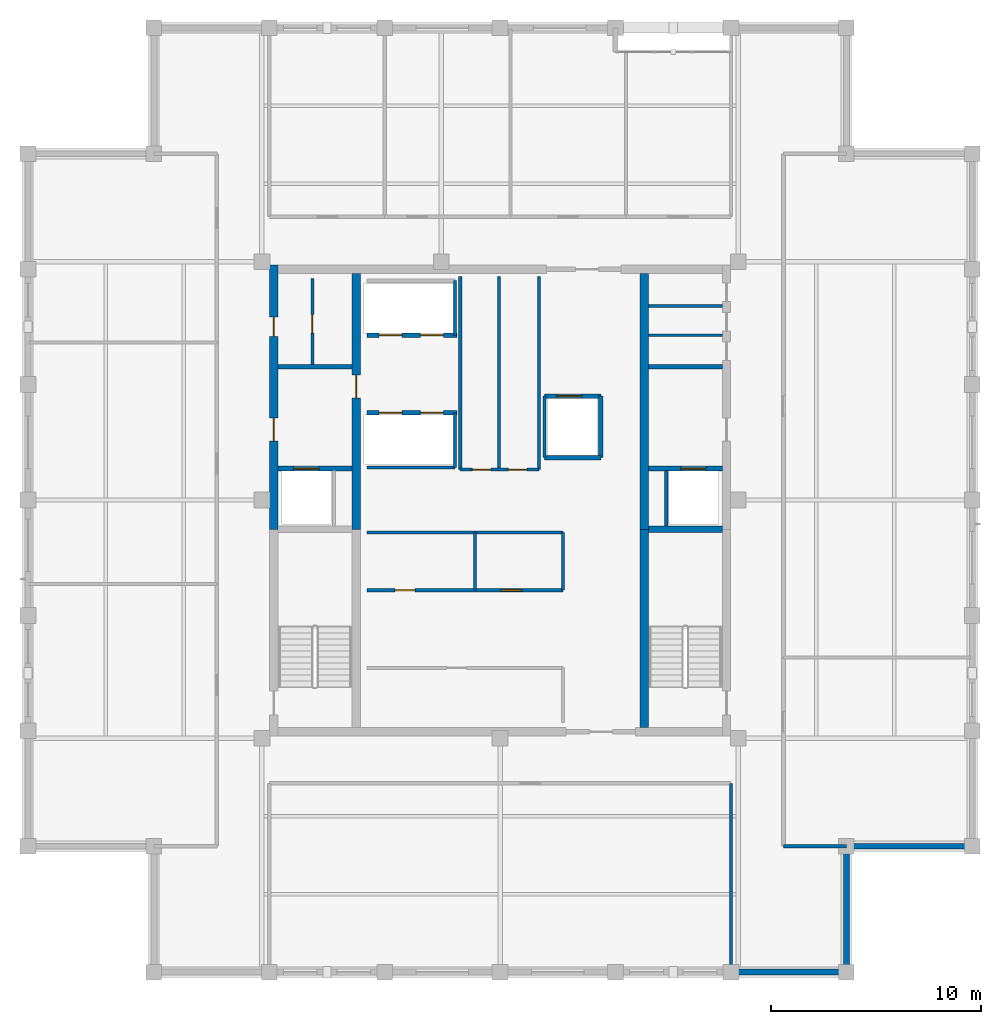
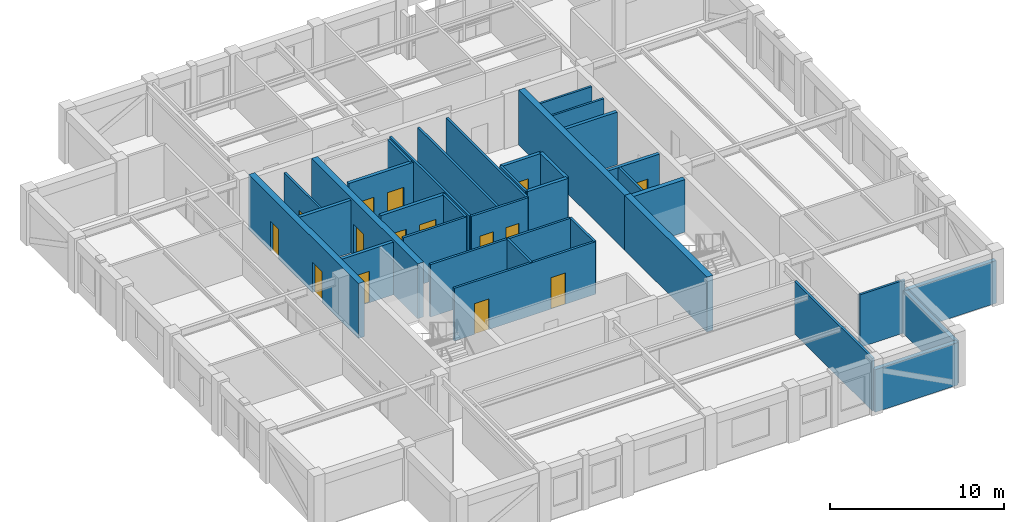
# One storey, part 7 of 10: 35 walls, 15 doors, 15 openings.
"""IFC4 building model written with IfcOpenShell, lengths in metres."""

from ifc_helpers import new_model, si_unit, direction, frame, frame_2d, origin, place, context, subcontext, project, spatial, rectangle, extrude, material, layer, layer_set, type_object, element, fill, save


model = new_model("IFC4")

# Units and contexts
model_context = context("Model", 3, precision=1e-05, world=origin(), true_north=direction((0.0, 1.0)))
body_context = subcontext(model_context, "Body", "Model", "MODEL_VIEW")
ifc_project = project(units=[si_unit("LENGTHUNIT", "METRE"), si_unit("AREAUNIT", "SQUARE_METRE"), si_unit("VOLUMEUNIT", "CUBIC_METRE"), si_unit("PLANEANGLEUNIT", "RADIAN"), si_unit("MASSUNIT", "GRAM", prefix="KILO")], contexts=[model_context])

# Site, building, storey
site_placement = place(None, origin())
site = spatial("IfcSite", under=ifc_project, at=site_placement, CompositionType="ELEMENT")
building_placement = place(site_placement, origin())
building = spatial("IfcBuilding", under=site, at=building_placement, Name="Nhamokura Convention Tower", CompositionType="ELEMENT")
storey_placement = place(building_placement, frame((0.0, 0.0, 277.550048828125)))
storey = spatial("IfcBuildingStorey", under=building, at=storey_placement, Name="L68", CompositionType="ELEMENT", Elevation=277.550048828125)

# Wall, opening, door
ifc_material_1 = material(Name="Moisture-resistant tile-backer partition", Category="masonry")
ifc_layer_1 = layer(ifc_material_1, 0.139892578125)
ifc_layer_set_1 = layer_set([ifc_layer_1], Name="BathroomWetWall_140")
wall_type_1 = type_object("IfcWallType", Name="BathroomWetWall_140", PredefinedType="STANDARD", material=ifc_layer_set_1)
wall_1_placement = place(storey_placement, frame((23.050048828125, 38.449951171875, 0.0), z_axis=(0.0, 0.0, 1.0), x_axis=(0.0, 1.0, 0.0)))
wall_1 = element("IfcWall", 1, at=wall_1_placement, inside=storey, type_object=wall_type_1, Name="L68 Wall INT-L68-CWNWV", PredefinedType="STANDARD", context=body_context, shape_type="SweptSolid", body=[
    extrude(rectangle(XDim=4.10009765625, YDim=0.139892578125, at=frame_2d((2.050048828125, 0.0))), origin(), (0.0, 0.0, 1.0), 3.68505859375),
])
opening_1_placement = place(wall_1_placement, frame((1.5, 0.0, 0.0)))
opening_1 = element("IfcOpeningElement", 2, at=opening_1_placement, cuts=wall_1, Name="Opening D-11", PredefinedType="OPENING", context=body_context, shape_type="SweptSolid", body=[
    extrude(rectangle(XDim=0.8798828125, YDim=2.10009765625, at=frame_2d((0.43994140625, 1.050048828125))), frame((0.0, 0.079833984375, 0.0), z_axis=(0.0, -1.0, 0.0), x_axis=(1.0, 0.0, 0.0)), (0.0, 0.0, 1.0), 0.159912109375),
])
ifc_material_2 = material(Name="Solid oak hardwood", Category="wood")
door_type_1 = type_object("IfcDoorType", Name="BathroomDoor_880", OperationType="NOTDEFINED", PredefinedType="DOOR", material=ifc_material_2)
door_1_placement = place(opening_1_placement, origin())
door_1 = element("IfcDoor", 3, at=door_1_placement, inside=storey, type_object=door_type_1, Name="L68 Inner Store Door", OperationType="SINGLE_SWING_LEFT", OverallHeight=2.10009765625, OverallWidth=0.8798828125, PredefinedType="DOOR", context=body_context, shape_type="SweptSolid", body=[
    extrude(rectangle(XDim=0.8798828125, YDim=2.10009765625, at=frame_2d((0.43994140625, 1.050048828125))), frame((0.0, 0.02490234375, 0.0), z_axis=(0.0, -1.0, 0.0), x_axis=(1.0, 0.0, 0.0)), (0.0, 0.0, 1.0), 0.050048828125),
])
fill(opening_1, door_1)

# Walls
for number, where, z_axis, x_axis, name in (
    (4, (39.06005859375, 39.85009765625, 0.0), (0.0, 0.0, 1.0), (1.0, 0.0, 0.0), "L68 Wall INT-L68-CWNE1"),
    (5, (39.06005859375, 41.25, 0.0), (0.0, 0.0, 1.0), (1.0, 0.0, 0.0), "L68 Wall INT-L68-CWNE2"),
):
    element("IfcWall", number, at=place(storey_placement, frame(where, z_axis=z_axis, x_axis=x_axis)), inside=storey, type_object=wall_type_1, Name=name, PredefinedType="STANDARD", context=body_context, shape_type="SweptSolid", body=[
        extrude(rectangle(XDim=3.530029296875, YDim=0.139892578125, at=frame_2d((1.76513671875, 0.0))), origin(), (0.0, 0.0, 1.0), 3.68505859375),
    ])
ifc_material_3 = material(Name="Bronze-pigmented precast concrete C45/55", Category="concrete")
ifc_layer_2 = layer(ifc_material_3, 0.280029296875)
ifc_layer_set_2 = layer_set([ifc_layer_2], Name="BronzePrecastSpandrel_280")
wall_type_2 = type_object("IfcWallType", Name="BronzePrecastSpandrel_280", PredefinedType="USERDEFINED", material=ifc_layer_set_2)
wall_2_placement = place(storey_placement, frame((48.5, 9.5, 0.0), z_axis=(0.0, 0.0, 1.0), x_axis=(-1.0, 0.0, 0.0)))
element("IfcWall", 6, at=wall_2_placement, inside=storey, type_object=wall_type_2, Name="L68 Braced-Bay Precast Wall SOUTH 5", ObjectType="SPANDREL_WALL", PredefinedType="USERDEFINED", context=body_context, shape_type="SweptSolid", body=[
    extrude(rectangle(XDim=5.5, YDim=0.280029296875, at=frame_2d((2.75, 0.0))), origin(), (0.0, 0.0, 1.0), 2.98486328125),
])
for number, where, z_axis, x_axis, name in (
    (7, (48.5, 15.5, 0.0), (0.0, 0.0, 1.0), (0.0, -1.0, 0.0), "L68 Notched Corner Wall SE1"),
    (8, (54.5, 15.5, 0.0), (0.0, 0.0, 1.0), (-1.0, 0.0, 0.0), "L68 Notched Corner Wall SE2"),
):
    element("IfcWall", number, at=place(storey_placement, frame(where, z_axis=z_axis, x_axis=x_axis)), inside=storey, type_object=wall_type_2, Name=name, ObjectType="SPANDREL_WALL", PredefinedType="USERDEFINED", context=body_context, shape_type="SweptSolid", body=[
        extrude(rectangle(XDim=6.0, YDim=0.280029296875, at=frame_2d((3.0, 0.0))), origin(), (0.0, 0.0, 1.0), 2.98486328125),
    ])

# Wall, openings, doors
ifc_material_4 = material(Name="Concrete C50/60", Category="concrete")
ifc_layer_3 = layer(ifc_material_4, 0.39990234375)
ifc_layer_set_3 = layer_set([ifc_layer_3], Name="CoreShearWall_400")
wall_type_3 = type_object("IfcWallType", Name="CoreShearWall_400", PredefinedType="SHEAR", material=ifc_layer_set_3)
wall_3_placement = place(storey_placement, frame((21.2099609375, 30.60009765625, 0.0), z_axis=(0.0, 0.0, 1.0), x_axis=(0.0, 1.0, 0.0)))
wall_3 = element("IfcWall", 9, at=wall_3_placement, inside=storey, type_object=wall_type_3, Name="L68 Core Shear Wall CW-WN", PredefinedType="SHEAR", context=body_context, shape_type="SweptSolid", body=[
    extrude(rectangle(XDim=12.599853515625, YDim=0.39990234375, at=frame_2d((6.2998046875, 0.0))), origin(), (0.0, 0.0, 1.0), 3.849853515625),
])
opening_2_placement = place(wall_3_placement, frame((4.199951171875, 0.0, 0.0)))
opening_2 = element("IfcOpeningElement", 10, at=opening_2_placement, cuts=wall_3, Name="Opening D-05", PredefinedType="OPENING", context=body_context, shape_type="SweptSolid", body=[
    extrude(rectangle(XDim=1.10009765625, YDim=2.14990234375, at=frame_2d((0.550048828125, 1.074951171875))), frame((0.0, 0.2099609375, 0.0), z_axis=(0.0, -1.0, 0.0), x_axis=(1.0, 0.0, 0.0)), (0.0, 0.0, 1.0), 0.419921875),
])
opening_3_placement = place(wall_3_placement, frame((9.199951171875, 0.0, 0.0)))
opening_3 = element("IfcOpeningElement", 11, at=opening_3_placement, cuts=wall_3, Name="Opening D-10", PredefinedType="OPENING", context=body_context, shape_type="SweptSolid", body=[
    extrude(rectangle(XDim=0.919921875, YDim=2.10009765625, at=frame_2d((0.4599609375, 1.050048828125))), frame((0.0, 0.2099609375, 0.0), z_axis=(0.0, -1.0, 0.0), x_axis=(1.0, 0.0, 0.0)), (0.0, 0.0, 1.0), 0.419921875),
])
ifc_material_5 = material(Name="Solid oak hardwood", Category="wood")
door_type_2 = type_object("IfcDoorType", Name="AccessibleWCDoor_920", OperationType="NOTDEFINED", PredefinedType="DOOR", material=ifc_material_5)
door_2_placement = place(opening_3_placement, origin())
door_2 = element("IfcDoor", 12, at=door_2_placement, inside=storey, type_object=door_type_2, Name="L68 Core Door INT-L68-D-AWCW", OperationType="SINGLE_SWING_RIGHT", OverallHeight=2.10009765625, OverallWidth=0.919921875, PredefinedType="DOOR", context=body_context, shape_type="SweptSolid", body=[
    extrude(rectangle(XDim=0.919921875, YDim=2.10009765625, at=frame_2d((0.4599609375, 1.050048828125))), frame((0.0, 0.02490234375, 0.0), z_axis=(0.0, -1.0, 0.0), x_axis=(1.0, 0.0, 0.0)), (0.0, 0.0, 1.0), 0.050048828125),
])
fill(opening_3, door_2)
ifc_material_6 = material(Name="Fire-rated steel door", Category="steel")
door_type_3 = type_object("IfcDoorType", Name="FireLobbyDoor_1100", OperationType="NOTDEFINED", PredefinedType="DOOR", material=ifc_material_6)
door_3_placement = place(opening_2_placement, origin())
door_3 = element("IfcDoor", 13, at=door_3_placement, inside=storey, type_object=door_type_3, Name="L68 Core Door INT-L68-D-FFLW", OperationType="SINGLE_SWING_RIGHT", OverallHeight=2.14990234375, OverallWidth=1.10009765625, PredefinedType="DOOR", context=body_context, shape_type="SweptSolid", body=[
    extrude(rectangle(XDim=1.10009765625, YDim=2.14990234375, at=frame_2d((0.550048828125, 1.074951171875))), frame((0.0, 0.02490234375, 0.0), z_axis=(0.0, -1.0, 0.0), x_axis=(1.0, 0.0, 0.0)), (0.0, 0.0, 1.0), 0.050048828125),
])
fill(opening_2, door_3)

# Wall, opening, door
wall_4_placement = place(storey_placement, frame((25.139892578125, 30.60009765625, 0.0), z_axis=(0.0, 0.0, 1.0), x_axis=(0.0, 1.0, 0.0)))
wall_4 = element("IfcWall", 14, at=wall_4_placement, inside=storey, type_object=wall_type_3, Name="L68 Core Shear Wall CW-IWN", PredefinedType="SHEAR", context=body_context, shape_type="SweptSolid", body=[
    extrude(rectangle(XDim=12.199951171875, YDim=0.39990234375, at=frame_2d((6.10009765625, 0.0))), origin(), (0.0, 0.0, 1.0), 3.849853515625),
])
opening_4_placement = place(wall_4_placement, frame((6.25, 0.0, 0.0)))
opening_4 = element("IfcOpeningElement", 15, at=opening_4_placement, cuts=wall_4, Name="Opening D-05", PredefinedType="OPENING", context=body_context, shape_type="SweptSolid", body=[
    extrude(rectangle(XDim=1.10009765625, YDim=2.14990234375, at=frame_2d((0.550048828125, 1.074951171875))), frame((0.0, 0.2099609375, 0.0), z_axis=(0.0, -1.0, 0.0), x_axis=(1.0, 0.0, 0.0)), (0.0, 0.0, 1.0), 0.419921875),
])
door_4_placement = place(opening_4_placement, origin())
door_4 = element("IfcDoor", 16, at=door_4_placement, inside=storey, type_object=door_type_3, Name="L68 Core Door INT-L68-D-B3LOB", OperationType="SINGLE_SWING_LEFT", OverallHeight=2.14990234375, OverallWidth=1.10009765625, PredefinedType="DOOR", context=body_context, shape_type="SweptSolid", body=[
    extrude(rectangle(XDim=1.10009765625, YDim=2.14990234375, at=frame_2d((0.550048828125, 1.074951171875))), frame((0.0, 0.02490234375, 0.0), z_axis=(0.0, -1.0, 0.0), x_axis=(1.0, 0.0, 0.0)), (0.0, 0.0, 1.0), 0.050048828125),
])
fill(opening_4, door_4)

# Walls
wall_5_placement = place(storey_placement, frame((38.860107421875, 21.14990234375, 0.0), z_axis=(0.0, 0.0, 1.0), x_axis=(0.0, 1.0, 0.0)))
element("IfcWall", 17, at=wall_5_placement, inside=storey, type_object=wall_type_3, Name="L68 Core Shear Wall CW-IES", PredefinedType="SHEAR", context=body_context, shape_type="SweptSolid", body=[
    extrude(rectangle(XDim=9.4501953125, YDim=0.39990234375, at=frame_2d((4.72509765625, 0.0))), origin(), (0.0, 0.0, 1.0), 3.849853515625),
])
wall_6_placement = place(storey_placement, frame((38.860107421875, 30.60009765625, 0.0), z_axis=(0.0, 0.0, 1.0), x_axis=(0.0, 1.0, 0.0)))
element("IfcWall", 18, at=wall_6_placement, inside=storey, type_object=wall_type_3, Name="L68 Core Shear Wall CW-IEN", PredefinedType="SHEAR", context=body_context, shape_type="SweptSolid", body=[
    extrude(rectangle(XDim=12.199951171875, YDim=0.39990234375, at=frame_2d((6.10009765625, 0.0))), origin(), (0.0, 0.0, 1.0), 3.849853515625),
])

# Wall, opening, door
ifc_material_7 = material(Name="Autoclaved concrete blockwork", Category="masonry")
ifc_layer_4 = layer(ifc_material_7, 0.219970703125)
ifc_layer_set_4 = layer_set([ifc_layer_4], Name="FireLobbyWall_220")
wall_type_4 = type_object("IfcWallType", Name="FireLobbyWall_220", PredefinedType="STANDARD", material=ifc_layer_set_4)
wall_7_placement = place(storey_placement, frame((21.409912109375, 33.5, 0.0), z_axis=(0.0, 0.0, 1.0), x_axis=(1.0, 0.0, 0.0)))
wall_7 = element("IfcWall", 19, at=wall_7_placement, inside=storey, type_object=wall_type_4, Name="L68 Wall INT-L68-FFW-S", PredefinedType="STANDARD", context=body_context, shape_type="SweptSolid", body=[
    extrude(rectangle(XDim=3.530029296875, YDim=0.219970703125, at=frame_2d((1.76513671875, 0.0))), origin(), (0.0, 0.0, 1.0), 3.68505859375),
])
opening_5_placement = place(wall_7_placement, frame((0.75, 0.0, 0.0)))
opening_5 = element("IfcOpeningElement", 20, at=opening_5_placement, cuts=wall_7, Name="Opening LD-02", PredefinedType="OPENING", context=body_context, shape_type="SweptSolid", body=[
    extrude(rectangle(XDim=1.199951171875, YDim=2.199951171875, at=frame_2d((0.60009765625, 1.10009765625))), frame((0.0, 0.119873046875, 0.0), z_axis=(0.0, -1.0, 0.0), x_axis=(1.0, 0.0, 0.0)), (0.0, 0.0, 1.0), 0.239990234375),
])
ifc_material_8 = material(Name="Anodised bronze stainless steel", Category="steel")
door_type_4 = type_object("IfcDoorType", Name="LiftLandingDoor_FireService", OperationType="DOUBLE_DOOR_SLIDING", PredefinedType="DOOR", material=ifc_material_8)
door_5_placement = place(opening_5_placement, origin())
door_5 = element("IfcDoor", 21, at=door_5_placement, inside=storey, type_object=door_type_4, Name="L68 Firefighting Lift LF-01 Door", OperationType="DOUBLE_DOOR_SLIDING", OverallHeight=2.199951171875, OverallWidth=1.199951171875, PredefinedType="DOOR", context=body_context, shape_type="SweptSolid", body=[
    extrude(rectangle(XDim=1.199951171875, YDim=2.199951171875, at=frame_2d((0.60009765625, 1.10009765625))), frame((0.0, 0.02490234375, 0.0), z_axis=(0.0, -1.0, 0.0), x_axis=(1.0, 0.0, 0.0)), (0.0, 0.0, 1.0), 0.050048828125),
])
fill(opening_5, door_5)

wall_8_placement = place(storey_placement, frame((39.06005859375, 33.5, 0.0), z_axis=(0.0, 0.0, 1.0), x_axis=(1.0, 0.0, 0.0)))
wall_8 = element("IfcWall", 22, at=wall_8_placement, inside=storey, type_object=wall_type_4, Name="L68 Wall INT-L68-FFE-S", PredefinedType="STANDARD", context=body_context, shape_type="SweptSolid", body=[
    extrude(rectangle(XDim=3.530029296875, YDim=0.219970703125, at=frame_2d((1.76513671875, 0.0))), origin(), (0.0, 0.0, 1.0), 3.68505859375),
])
opening_6_placement = place(wall_8_placement, frame((1.550048828125, 0.0, 0.0)))
opening_6 = element("IfcOpeningElement", 23, at=opening_6_placement, cuts=wall_8, Name="Opening LD-02", PredefinedType="OPENING", context=body_context, shape_type="SweptSolid", body=[
    extrude(rectangle(XDim=1.199951171875, YDim=2.199951171875, at=frame_2d((0.60009765625, 1.10009765625))), frame((0.0, 0.119873046875, 0.0), z_axis=(0.0, -1.0, 0.0), x_axis=(1.0, 0.0, 0.0)), (0.0, 0.0, 1.0), 0.239990234375),
])
door_6_placement = place(opening_6_placement, origin())
door_6 = element("IfcDoor", 24, at=door_6_placement, inside=storey, type_object=door_type_4, Name="L68 Firefighting Lift LF-02 Door", OperationType="DOUBLE_DOOR_SLIDING", OverallHeight=2.199951171875, OverallWidth=1.199951171875, PredefinedType="DOOR", context=body_context, shape_type="SweptSolid", body=[
    extrude(rectangle(XDim=1.199951171875, YDim=2.199951171875, at=frame_2d((0.60009765625, 1.10009765625))), frame((0.0, 0.02490234375, 0.0), z_axis=(0.0, -1.0, 0.0), x_axis=(1.0, 0.0, 0.0)), (0.0, 0.0, 1.0), 0.050048828125),
])
fill(opening_6, door_6)

# Walls
for number, where, z_axis, x_axis, name in (
    (25, (21.409912109375, 38.35009765625, 0.0), (0.0, 0.0, 1.0), (1.0, 0.0, 0.0), "L68 Wall INT-L68-FFW-N"),
    (26, (39.06005859375, 38.35009765625, 0.0), (0.0, 0.0, 1.0), (1.0, 0.0, 0.0), "L68 Wall INT-L68-FFE-N"),
):
    element("IfcWall", number, at=place(storey_placement, frame(where, z_axis=z_axis, x_axis=x_axis)), inside=storey, type_object=wall_type_4, Name=name, PredefinedType="STANDARD", context=body_context, shape_type="SweptSolid", body=[
        extrude(rectangle(XDim=3.530029296875, YDim=0.219970703125, at=frame_2d((1.76513671875, 0.0))), origin(), (0.0, 0.0, 1.0), 3.68505859375),
    ])

# Wall, openings, doors
wall_9_placement = place(storey_placement, frame((25.64990234375, 36.14990234375, 0.0), z_axis=(0.0, 0.0, 1.0), x_axis=(1.0, 0.0, 0.0)))
wall_9 = element("IfcWall", 27, at=wall_9_placement, inside=storey, type_object=wall_type_4, Name="L68 Wall INT-L68-B3S", PredefinedType="STANDARD", context=body_context, shape_type="SweptSolid", body=[
    extrude(rectangle(XDim=4.300048828125, YDim=0.219970703125, at=frame_2d((2.14990234375, 0.0))), origin(), (0.0, 0.0, 1.0), 3.68505859375),
])
opening_7_placement = place(wall_9_placement, frame((0.580078125, 0.0, 0.0)))
opening_7 = element("IfcOpeningElement", 28, at=opening_7_placement, cuts=wall_9, Name="Opening LD-01", PredefinedType="OPENING", context=body_context, shape_type="SweptSolid", body=[
    extrude(rectangle(XDim=1.10009765625, YDim=2.14990234375, at=frame_2d((0.550048828125, 1.074951171875))), frame((0.0, 0.119873046875, 0.0), z_axis=(0.0, -1.0, 0.0), x_axis=(1.0, 0.0, 0.0)), (0.0, 0.0, 1.0), 0.239990234375),
])
opening_8_placement = place(wall_9_placement, frame((2.550048828125, 0.0, 0.0)))
opening_8 = element("IfcOpeningElement", 29, at=opening_8_placement, cuts=wall_9, Name="Opening LD-01", PredefinedType="OPENING", context=body_context, shape_type="SweptSolid", body=[
    extrude(rectangle(XDim=1.10009765625, YDim=2.14990234375, at=frame_2d((0.550048828125, 1.074951171875))), frame((0.0, 0.119873046875, 0.0), z_axis=(0.0, -1.0, 0.0), x_axis=(1.0, 0.0, 0.0)), (0.0, 0.0, 1.0), 0.239990234375),
])
ifc_material_9 = material(Name="Anodised bronze stainless steel", Category="steel")
door_type_5 = type_object("IfcDoorType", Name="LiftLandingDoor_Passenger", OperationType="DOUBLE_DOOR_SLIDING", PredefinedType="DOOR", material=ifc_material_9)
door_7_placement = place(opening_7_placement, origin())
door_7 = element("IfcDoor", 30, at=door_7_placement, inside=storey, type_object=door_type_5, Name="L68 Lift LP-09 Door", OperationType="DOUBLE_DOOR_SLIDING", OverallHeight=2.14990234375, OverallWidth=1.10009765625, PredefinedType="DOOR", context=body_context, shape_type="SweptSolid", body=[
    extrude(rectangle(XDim=1.10009765625, YDim=2.14990234375, at=frame_2d((0.550048828125, 1.074951171875))), frame((0.0, 0.02490234375, 0.0), z_axis=(0.0, -1.0, 0.0), x_axis=(1.0, 0.0, 0.0)), (0.0, 0.0, 1.0), 0.050048828125),
])
fill(opening_7, door_7)
door_8_placement = place(opening_8_placement, origin())
door_8 = element("IfcDoor", 31, at=door_8_placement, inside=storey, type_object=door_type_5, Name="L68 Lift LP-10 Door", OperationType="DOUBLE_DOOR_SLIDING", OverallHeight=2.14990234375, OverallWidth=1.10009765625, PredefinedType="DOOR", context=body_context, shape_type="SweptSolid", body=[
    extrude(rectangle(XDim=1.10009765625, YDim=2.14990234375, at=frame_2d((0.550048828125, 1.074951171875))), frame((0.0, 0.02490234375, 0.0), z_axis=(0.0, -1.0, 0.0), x_axis=(1.0, 0.0, 0.0)), (0.0, 0.0, 1.0), 0.050048828125),
])
fill(opening_8, door_8)

wall_10_placement = place(storey_placement, frame((25.64990234375, 39.85009765625, 0.0), z_axis=(0.0, 0.0, 1.0), x_axis=(1.0, 0.0, 0.0)))
wall_10 = element("IfcWall", 32, at=wall_10_placement, inside=storey, type_object=wall_type_4, Name="L68 Wall INT-L68-B3N", PredefinedType="STANDARD", context=body_context, shape_type="SweptSolid", body=[
    extrude(rectangle(XDim=4.300048828125, YDim=0.219970703125, at=frame_2d((2.14990234375, 0.0))), origin(), (0.0, 0.0, 1.0), 3.68505859375),
])
opening_9_placement = place(wall_10_placement, frame((0.580078125, 0.0, 0.0)))
opening_9 = element("IfcOpeningElement", 33, at=opening_9_placement, cuts=wall_10, Name="Opening LD-01", PredefinedType="OPENING", context=body_context, shape_type="SweptSolid", body=[
    extrude(rectangle(XDim=1.10009765625, YDim=2.14990234375, at=frame_2d((0.550048828125, 1.074951171875))), frame((0.0, 0.119873046875, 0.0), z_axis=(0.0, -1.0, 0.0), x_axis=(1.0, 0.0, 0.0)), (0.0, 0.0, 1.0), 0.239990234375),
])
opening_10_placement = place(wall_10_placement, frame((2.550048828125, 0.0, 0.0)))
opening_10 = element("IfcOpeningElement", 34, at=opening_10_placement, cuts=wall_10, Name="Opening LD-01", PredefinedType="OPENING", context=body_context, shape_type="SweptSolid", body=[
    extrude(rectangle(XDim=1.10009765625, YDim=2.14990234375, at=frame_2d((0.550048828125, 1.074951171875))), frame((0.0, 0.119873046875, 0.0), z_axis=(0.0, -1.0, 0.0), x_axis=(1.0, 0.0, 0.0)), (0.0, 0.0, 1.0), 0.239990234375),
])
door_9_placement = place(opening_9_placement, origin())
door_9 = element("IfcDoor", 35, at=door_9_placement, inside=storey, type_object=door_type_5, Name="L68 Lift LP-11 Door", OperationType="DOUBLE_DOOR_SLIDING", OverallHeight=2.14990234375, OverallWidth=1.10009765625, PredefinedType="DOOR", context=body_context, shape_type="SweptSolid", body=[
    extrude(rectangle(XDim=1.10009765625, YDim=2.14990234375, at=frame_2d((0.550048828125, 1.074951171875))), frame((0.0, 0.02490234375, 0.0), z_axis=(0.0, -1.0, 0.0), x_axis=(1.0, 0.0, 0.0)), (0.0, 0.0, 1.0), 0.050048828125),
])
fill(opening_9, door_9)
door_10_placement = place(opening_10_placement, origin())
door_10 = element("IfcDoor", 36, at=door_10_placement, inside=storey, type_object=door_type_5, Name="L68 Lift LP-12 Door", OperationType="DOUBLE_DOOR_SLIDING", OverallHeight=2.14990234375, OverallWidth=1.10009765625, PredefinedType="DOOR", context=body_context, shape_type="SweptSolid", body=[
    extrude(rectangle(XDim=1.10009765625, YDim=2.14990234375, at=frame_2d((0.550048828125, 1.074951171875))), frame((0.0, 0.02490234375, 0.0), z_axis=(0.0, -1.0, 0.0), x_axis=(1.0, 0.0, 0.0)), (0.0, 0.0, 1.0), 0.050048828125),
])
fill(opening_10, door_10)

# Wall, opening, door
wall_11_placement = place(storey_placement, frame((34.1201171875, 36.949951171875, 0.0), z_axis=(0.0, 0.0, 1.0), x_axis=(1.0, 0.0, 0.0)))
wall_11 = element("IfcWall", 37, at=wall_11_placement, inside=storey, type_object=wall_type_4, Name="L68 Wall INT-L68-LSN", PredefinedType="STANDARD", context=body_context, shape_type="SweptSolid", body=[
    extrude(rectangle(XDim=2.679931640625, YDim=0.219970703125, at=frame_2d((1.33984375, 0.0))), origin(), (0.0, 0.0, 1.0), 3.68505859375),
])
opening_11_placement = place(wall_11_placement, frame((0.580078125, 0.0, 0.0)))
opening_11 = element("IfcOpeningElement", 38, at=opening_11_placement, cuts=wall_11, Name="Opening LD-02", PredefinedType="OPENING", context=body_context, shape_type="SweptSolid", body=[
    extrude(rectangle(XDim=1.199951171875, YDim=2.199951171875, at=frame_2d((0.60009765625, 1.10009765625))), frame((0.0, 0.119873046875, 0.0), z_axis=(0.0, -1.0, 0.0), x_axis=(1.0, 0.0, 0.0)), (0.0, 0.0, 1.0), 0.239990234375),
])
door_11_placement = place(opening_11_placement, origin())
door_11 = element("IfcDoor", 39, at=door_11_placement, inside=storey, type_object=door_type_4, Name="L68 Service Lift LS-01 Door", OperationType="DOUBLE_DOOR_SLIDING", OverallHeight=2.199951171875, OverallWidth=1.199951171875, PredefinedType="DOOR", context=body_context, shape_type="SweptSolid", body=[
    extrude(rectangle(XDim=1.199951171875, YDim=2.199951171875, at=frame_2d((0.60009765625, 1.10009765625))), frame((0.0, 0.02490234375, 0.0), z_axis=(0.0, -1.0, 0.0), x_axis=(1.0, 0.0, 0.0)), (0.0, 0.0, 1.0), 0.050048828125),
])
fill(opening_11, door_11)

# Walls
wall_12_placement = place(storey_placement, frame((36.800048828125, 34.02001953125, 0.0), z_axis=(0.0, 0.0, 1.0), x_axis=(0.0, 1.0, 0.0)))
element("IfcWall", 40, at=wall_12_placement, inside=storey, type_object=wall_type_4, Name="L68 Wall INT-L68-LSE", PredefinedType="STANDARD", context=body_context, shape_type="SweptSolid", body=[
    extrude(rectangle(XDim=2.929931640625, YDim=0.219970703125, at=frame_2d((1.46484375, 0.0))), origin(), (0.0, 0.0, 1.0), 3.68505859375),
])
wall_13_placement = place(storey_placement, frame((34.1201171875, 34.02001953125, 0.0), z_axis=(0.0, 0.0, 1.0), x_axis=(1.0, 0.0, 0.0)))
element("IfcWall", 41, at=wall_13_placement, inside=storey, type_object=wall_type_4, Name="L68 Wall INT-L68-LSS", PredefinedType="STANDARD", context=body_context, shape_type="SweptSolid", body=[
    extrude(rectangle(XDim=2.679931640625, YDim=0.219970703125, at=frame_2d((1.33984375, 0.0))), origin(), (0.0, 0.0, 1.0), 3.68505859375),
])
ifc_material_10 = material(Name="Acoustic gypsum stud partition", Category="masonry")
ifc_layer_5 = layer(ifc_material_10, 0.14990234375)
ifc_layer_set_5 = layer_set([ifc_layer_5], Name="InteriorPartition_150")
wall_type_5 = type_object("IfcWallType", Name="InteriorPartition_150", PredefinedType="STANDARD", material=ifc_layer_set_5)
wall_14_placement = place(storey_placement, frame((39.919921875, 30.75, 0.0), z_axis=(0.0, 0.0, 1.0), x_axis=(0.0, 1.0, 0.0)))
element("IfcWall", 42, at=wall_14_placement, inside=storey, type_object=wall_type_5, Name="L68 Wall INT-L68-FF2-W", PredefinedType="STANDARD", context=body_context, shape_type="SweptSolid", body=[
    extrude(rectangle(XDim=2.64990234375, YDim=0.14990234375, at=frame_2d((1.324951171875, 0.0))), origin(), (0.0, 0.0, 1.0), 3.68505859375),
])

# Wall, openings, doors
wall_15_placement = place(storey_placement, frame((25.64990234375, 27.699951171875, 0.0), z_axis=(0.0, 0.0, 1.0), x_axis=(1.0, 0.0, 0.0)))
wall_15 = element("IfcWall", 43, at=wall_15_placement, inside=storey, type_object=wall_type_5, Name="L68 Wall INT-L68-B2R-S", PredefinedType="STANDARD", context=body_context, shape_type="SweptSolid", body=[
    extrude(rectangle(XDim=9.35009765625, YDim=0.14990234375, at=frame_2d((4.675048828125, 0.0))), origin(), (0.0, 0.0, 1.0), 3.68505859375),
])
opening_12_placement = place(wall_15_placement, frame((1.35009765625, 0.0, 0.0)))
opening_12 = element("IfcOpeningElement", 44, at=opening_12_placement, cuts=wall_15, Name="Opening D-09", PredefinedType="OPENING", context=body_context, shape_type="SweptSolid", body=[
    extrude(rectangle(XDim=0.949951171875, YDim=2.14990234375, at=frame_2d((0.47509765625, 1.074951171875))), frame((0.0, 0.0849609375, 0.0), z_axis=(0.0, -1.0, 0.0), x_axis=(1.0, 0.0, 0.0)), (0.0, 0.0, 1.0), 0.169921875),
])
opening_13_placement = place(wall_15_placement, frame((6.39990234375, 0.0, 0.0)))
opening_13 = element("IfcOpeningElement", 45, at=opening_13_placement, cuts=wall_15, Name="Opening D-08", PredefinedType="OPENING", context=body_context, shape_type="SweptSolid", body=[
    extrude(rectangle(XDim=0.97998046875, YDim=2.199951171875, at=frame_2d((0.489990234375, 1.10009765625))), frame((0.0, 0.0849609375, 0.0), z_axis=(0.0, -1.0, 0.0), x_axis=(1.0, 0.0, 0.0)), (0.0, 0.0, 1.0), 0.169921875),
])
ifc_material_11 = material(Name="Solid oak hardwood", Category="wood")
door_type_6 = type_object("IfcDoorType", Name="MeetingRoomDoor_950", OperationType="NOTDEFINED", PredefinedType="DOOR", material=ifc_material_11)
door_12_placement = place(opening_12_placement, origin())
door_12 = element("IfcDoor", 46, at=door_12_placement, inside=storey, type_object=door_type_6, Name="L68 Caucus Suite Door", OperationType="SINGLE_SWING_LEFT", OverallHeight=2.14990234375, OverallWidth=0.949951171875, PredefinedType="DOOR", context=body_context, shape_type="SweptSolid", body=[
    extrude(rectangle(XDim=0.949951171875, YDim=2.14990234375, at=frame_2d((0.47509765625, 1.074951171875))), frame((0.0, 0.02490234375, 0.0), z_axis=(0.0, -1.0, 0.0), x_axis=(1.0, 0.0, 0.0)), (0.0, 0.0, 1.0), 0.050048828125),
])
fill(opening_12, door_12)
ifc_material_12 = material(Name="Solid oak hardwood", Category="wood")
door_type_7 = type_object("IfcDoorType", Name="OfficeEntryDoor_980", OperationType="NOTDEFINED", PredefinedType="DOOR", material=ifc_material_12)
door_13_placement = place(opening_13_placement, origin())
door_13 = element("IfcDoor", 47, at=door_13_placement, inside=storey, type_object=door_type_7, Name="L68 Summit Pantry Door", OperationType="SINGLE_SWING_RIGHT", OverallHeight=2.199951171875, OverallWidth=0.97998046875, PredefinedType="DOOR", context=body_context, shape_type="SweptSolid", body=[
    extrude(rectangle(XDim=0.97998046875, YDim=2.199951171875, at=frame_2d((0.489990234375, 1.10009765625))), frame((0.0, 0.02490234375, 0.0), z_axis=(0.0, -1.0, 0.0), x_axis=(1.0, 0.0, 0.0)), (0.0, 0.0, 1.0), 0.050048828125),
])
fill(opening_13, door_13)

# Walls
wall_16_placement = place(storey_placement, frame((25.64990234375, 30.449951171875, 0.0), z_axis=(0.0, 0.0, 1.0), x_axis=(1.0, 0.0, 0.0)))
element("IfcWall", 48, at=wall_16_placement, inside=storey, type_object=wall_type_5, Name="L68 Wall INT-L68-B2R-N", PredefinedType="STANDARD", context=body_context, shape_type="SweptSolid", body=[
    extrude(rectangle(XDim=9.35009765625, YDim=0.14990234375, at=frame_2d((4.675048828125, 0.0))), origin(), (0.0, 0.0, 1.0), 3.68505859375),
])
for number, where, z_axis, x_axis, name in (
    (49, (30.800048828125, 27.699951171875, 0.0), (0.0, 0.0, 1.0), (0.0, 1.0, 0.0), "L68 Wall INT-L68-B2R-M"),
    (50, (35.0, 27.699951171875, 0.0), (0.0, 0.0, 1.0), (0.0, 1.0, 0.0), "L68 Wall INT-L68-B2R-E"),
):
    element("IfcWall", number, at=place(storey_placement, frame(where, z_axis=z_axis, x_axis=x_axis)), inside=storey, type_object=wall_type_5, Name=name, PredefinedType="STANDARD", context=body_context, shape_type="SweptSolid", body=[
        extrude(rectangle(XDim=2.75, YDim=0.14990234375, at=frame_2d((1.375, 0.0))), origin(), (0.0, 0.0, 1.0), 3.68505859375),
    ])
wall_17_placement = place(storey_placement, frame((25.64990234375, 33.550048828125, 0.0), z_axis=(0.0, 0.0, 1.0), x_axis=(1.0, 0.0, 0.0)))
element("IfcWall", 51, at=wall_17_placement, inside=storey, type_object=wall_type_5, Name="L68 Wall INT-L68-B3A-S", PredefinedType="STANDARD", context=body_context, shape_type="SweptSolid", body=[
    extrude(rectangle(XDim=4.2001953125, YDim=0.14990234375, at=frame_2d((2.10009765625, 0.0))), origin(), (0.0, 0.0, 1.0), 3.68505859375),
])
for number, where, z_axis, x_axis, name in (
    (52, (29.85009765625, 33.550048828125, 0.0), (0.0, 0.0, 1.0), (0.0, 1.0, 0.0), "L68 Wall INT-L68-B3A-E"),
    (53, (29.85009765625, 39.85009765625, 0.0), (0.0, 0.0, 1.0), (0.0, 1.0, 0.0), "L68 Wall INT-L68-B3B-E"),
):
    element("IfcWall", number, at=place(storey_placement, frame(where, z_axis=z_axis, x_axis=x_axis)), inside=storey, type_object=wall_type_5, Name=name, PredefinedType="STANDARD", context=body_context, shape_type="SweptSolid", body=[
        extrude(rectangle(XDim=2.599853515625, YDim=0.14990234375, at=frame_2d((1.2998046875, 0.0))), origin(), (0.0, 0.0, 1.0), 3.68505859375),
    ])
for number, where, z_axis, x_axis, name in (
    (54, (30.10009765625, 33.449951171875, 0.0), (0.0, 0.0, 1.0), (0.0, 1.0, 0.0), "L68 Wall INT-L68-ST03W"),
    (55, (31.949951171875, 33.449951171875, 0.0), (0.0, 0.0, 1.0), (0.0, 1.0, 0.0), "L68 Wall INT-L68-ST03M"),
    (56, (33.85009765625, 33.449951171875, 0.0), (0.0, 0.0, 1.0), (0.0, 1.0, 0.0), "L68 Wall INT-L68-ST03E"),
):
    element("IfcWall", number, at=place(storey_placement, frame(where, z_axis=z_axis, x_axis=x_axis)), inside=storey, type_object=wall_type_5, Name=name, PredefinedType="STANDARD", context=body_context, shape_type="SweptSolid", body=[
        extrude(rectangle(XDim=9.199951171875, YDim=0.14990234375, at=frame_2d((4.60009765625, 0.0))), origin(), (0.0, 0.0, 1.0), 3.68505859375),
    ])

# Wall, openings, doors
wall_18_placement = place(storey_placement, frame((30.10009765625, 33.449951171875, 0.0), z_axis=(0.0, 0.0, 1.0), x_axis=(1.0, 0.0, 0.0)))
wall_18 = element("IfcWall", 57, at=wall_18_placement, inside=storey, type_object=wall_type_5, Name="L68 Wall INT-L68-ST03S", PredefinedType="STANDARD", context=body_context, shape_type="SweptSolid", body=[
    extrude(rectangle(XDim=3.75, YDim=0.14990234375, at=frame_2d((1.875, 0.0))), origin(), (0.0, 0.0, 1.0), 3.68505859375),
])
opening_14_placement = place(wall_18_placement, frame((0.580078125, 0.0, 0.0)))
opening_14 = element("IfcOpeningElement", 58, at=opening_14_placement, cuts=wall_18, Name="Opening D-11", PredefinedType="OPENING", context=body_context, shape_type="SweptSolid", body=[
    extrude(rectangle(XDim=0.8798828125, YDim=2.10009765625, at=frame_2d((0.43994140625, 1.050048828125))), frame((0.0, 0.0849609375, 0.0), z_axis=(0.0, -1.0, 0.0), x_axis=(1.0, 0.0, 0.0)), (0.0, 0.0, 1.0), 0.169921875),
])
opening_15_placement = place(wall_18_placement, frame((2.2900390625, 0.0, 0.0)))
opening_15 = element("IfcOpeningElement", 59, at=opening_15_placement, cuts=wall_18, Name="Opening D-11", PredefinedType="OPENING", context=body_context, shape_type="SweptSolid", body=[
    extrude(rectangle(XDim=0.8798828125, YDim=2.10009765625, at=frame_2d((0.43994140625, 1.050048828125))), frame((0.0, 0.0849609375, 0.0), z_axis=(0.0, -1.0, 0.0), x_axis=(1.0, 0.0, 0.0)), (0.0, 0.0, 1.0), 0.169921875),
])
door_14_placement = place(opening_14_placement, origin())
door_14 = element("IfcDoor", 60, at=door_14_placement, inside=storey, type_object=door_type_1, Name="L68 Wellness Suite Door", OperationType="SINGLE_SWING_LEFT", OverallHeight=2.10009765625, OverallWidth=0.8798828125, PredefinedType="DOOR", context=body_context, shape_type="SweptSolid", body=[
    extrude(rectangle(XDim=0.8798828125, YDim=2.10009765625, at=frame_2d((0.43994140625, 1.050048828125))), frame((0.0, 0.02490234375, 0.0), z_axis=(0.0, -1.0, 0.0), x_axis=(1.0, 0.0, 0.0)), (0.0, 0.0, 1.0), 0.050048828125),
])
fill(opening_14, door_14)
door_15_placement = place(opening_15_placement, origin())
door_15 = element("IfcDoor", 61, at=door_15_placement, inside=storey, type_object=door_type_1, Name="L68 Records Archive Door", OperationType="SINGLE_SWING_RIGHT", OverallHeight=2.10009765625, OverallWidth=0.8798828125, PredefinedType="DOOR", context=body_context, shape_type="SweptSolid", body=[
    extrude(rectangle(XDim=0.8798828125, YDim=2.10009765625, at=frame_2d((0.43994140625, 1.050048828125))), frame((0.0, 0.02490234375, 0.0), z_axis=(0.0, -1.0, 0.0), x_axis=(1.0, 0.0, 0.0)), (0.0, 0.0, 1.0), 0.050048828125),
])
fill(opening_15, door_15)

# Walls
wall_19_placement = place(storey_placement, frame((34.1201171875, 34.02001953125, 0.0), z_axis=(0.0, 0.0, 1.0), x_axis=(0.0, 1.0, 0.0)))
element("IfcWall", 62, at=wall_19_placement, inside=storey, type_object=wall_type_5, Name="L68 Wall INT-L68-LSW", PredefinedType="STANDARD", context=body_context, shape_type="SweptSolid", body=[
    extrude(rectangle(XDim=2.929931640625, YDim=0.14990234375, at=frame_2d((1.46484375, 0.0))), origin(), (0.0, 0.0, 1.0), 3.68505859375),
])
wall_20_placement = place(storey_placement, frame((43.0, 9.56005859375, 0.0), z_axis=(0.0, 0.0, 1.0), x_axis=(0.0, 1.0, 0.0)))
element("IfcWall", 63, at=wall_20_placement, inside=storey, type_object=wall_type_5, Name="L68 Wall INT-L68-RWR-S", PredefinedType="STANDARD", context=body_context, shape_type="SweptSolid", body=[
    extrude(rectangle(XDim=8.93994140625, YDim=0.14990234375, at=frame_2d((4.469970703125, 0.0))), origin(), (0.0, 0.0, 1.0), 3.68505859375),
])
wall_21_placement = place(storey_placement, frame((45.5, 15.5, 0.0), z_axis=(0.0, 0.0, 1.0), x_axis=(1.0, 0.0, 0.0)))
element("IfcWall", 64, at=wall_21_placement, inside=storey, type_object=wall_type_5, Name="L68 Wall INT-L68-VSTP-ES", PredefinedType="STANDARD", context=body_context, shape_type="SweptSolid", body=[
    extrude(rectangle(XDim=3.0, YDim=0.14990234375, at=frame_2d((1.5, 0.0))), origin(), (0.0, 0.0, 1.0), 3.68505859375),
])
ifc_material_13 = material(Name="Concrete C50/60", Category="concrete")
ifc_layer_6 = layer(ifc_material_13, 0.300048828125)
ifc_layer_set_6 = layer_set([ifc_layer_6], Name="ShaftEnclosureWall_300")
wall_type_6 = type_object("IfcWallType", Name="ShaftEnclosureWall_300", PredefinedType="SHEAR", material=ifc_layer_set_6)
wall_22_placement = place(storey_placement, frame((39.06005859375, 30.60009765625, 0.0), z_axis=(0.0, 0.0, 1.0), x_axis=(1.0, 0.0, 0.0)))
element("IfcWall", 65, at=wall_22_placement, inside=storey, type_object=wall_type_6, Name="L68 Wall INT-L68-ST02-N", PredefinedType="SHEAR", context=body_context, shape_type="SweptSolid", body=[
    extrude(rectangle(XDim=3.530029296875, YDim=0.300048828125, at=frame_2d((1.76513671875, 0.0))), origin(), (0.0, 0.0, 1.0), 3.68505859375),
])

save(model, "model.ifc")
